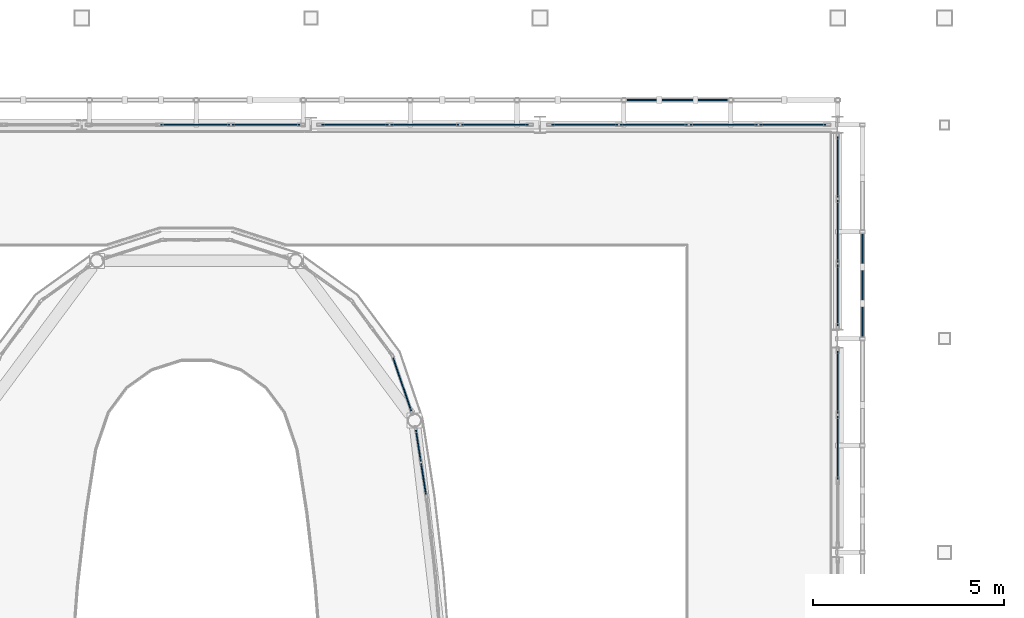
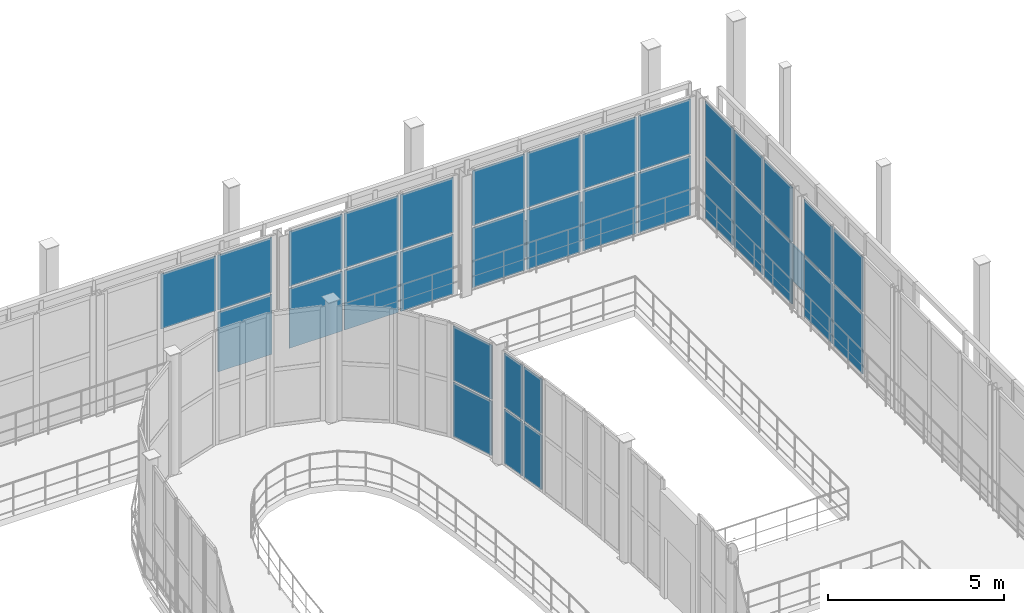
# One storey, part 100 of 138: 35 plates, 7 elements without a shape of their own.
"""IFC4 building model written with IfcOpenShell, lengths in metres."""

from ifc_helpers import new_model, si_unit, direction, frame, origin, origin_2d, place, context, subcontext, project, spatial, rectangle, extrude, material, layer, layer_set, type_object, element, aggregate, save


model = new_model("IFC4")

# Units and contexts
model_context = context("Model", 3, precision=1e-05, world=origin(), true_north=direction((0.0, 1.0)))
body_context = subcontext(model_context, "Body", "Model", "MODEL_VIEW")
ifc_project = project(units=[si_unit("LENGTHUNIT", "METRE"), si_unit("AREAUNIT", "SQUARE_METRE"), si_unit("VOLUMEUNIT", "CUBIC_METRE"), si_unit("PLANEANGLEUNIT", "RADIAN"), si_unit("MASSUNIT", "GRAM", prefix="KILO")], contexts=[model_context])

# Site, building, storey
site_placement = place(None, origin())
site = spatial("IfcSite", under=ifc_project, at=site_placement, CompositionType="ELEMENT")
building_placement = place(site_placement, origin())
building = spatial("IfcBuilding", under=site, at=building_placement, Name="Vinh Khe Railworks Police Headquarters", CompositionType="ELEMENT")
storey_placement = place(building_placement, frame((0.0, 0.0, 9.0)))
storey = spatial("IfcBuildingStorey", under=building, at=storey_placement, Name="L02", CompositionType="ELEMENT", Elevation=9.0)

# Curtain wall, plates
ifc_material_1 = material(Name="Anodised aluminium and acoustic laminated glass", Category="aluminium")
ifc_layer_1 = layer(ifc_material_1, 0.159912109375)
ifc_layer_set_1 = layer_set([ifc_layer_1], Name="Anodised aluminium and acoustic laminated glass")
curtain_wall_type_1 = type_object("IfcCurtainWallType", Name="CW-DRUM-CHORD", PredefinedType="USERDEFINED", material=ifc_layer_set_1)
curtain_wall_1_placement = place(storey_placement, origin())
curtain_wall_1 = element("IfcCurtainWall", 1, at=curtain_wall_1_placement, inside=storey, type_object=curtain_wall_type_1, Name="Elliptical Command Drum Glazing L02 Chord 9", ObjectType="DRUM FACADE GLAZING", PredefinedType="USERDEFINED")
ifc_material_2 = material(Name="Acoustic laminated solar-control glass", Category="glass")
ifc_layer_2 = layer(ifc_material_2, 0.031982421875)
ifc_layer_set_2 = layer_set([ifc_layer_2], Name="Acoustic laminated solar-control glass")
plate_type_1 = type_object("IfcPlateType", Name="PAN-DRUM-32", PredefinedType="CURTAIN_PANEL", material=ifc_layer_set_2)
plate_1_placement = place(storey_placement, frame((49.15087890625, 49.524169921875, 0.06494140625), z_axis=(0.0, 0.0, 1.0), x_axis=(-0.153490222159, 0.988150166575, 0.0)))
plate_1 = element("IfcPlate", 2, at=plate_1_placement, type_object=plate_type_1, Name="CW-02 panel 1.1", PredefinedType="CURTAIN_PANEL", context=body_context, shape_type="SweptSolid", body=[
    extrude(rectangle(XDim=0.814697265625, YDim=0.031982421875, at=origin_2d()), origin(), (0.0, 0.0, 1.0), 1.887451171875),
])
plate_2_placement = place(storey_placement, frame((49.15087890625, 49.524169921875, 2.017578125), z_axis=(0.0, 0.0, 1.0), x_axis=(-0.153490222159, 0.988150166575, 0.0)))
plate_2 = element("IfcPlate", 3, at=plate_2_placement, type_object=plate_type_1, Name="CW-02 panel 1.2", PredefinedType="CURTAIN_PANEL", context=body_context, shape_type="SweptSolid", body=[
    extrude(rectangle(XDim=0.814697265625, YDim=0.031982421875, at=origin_2d()), origin(), (0.0, 0.0, 1.0), 1.887451171875),
])
plate_3_placement = place(storey_placement, frame((49.015869140625, 50.3935546875, 0.06494140625), z_axis=(0.0, 0.0, 1.0), x_axis=(-0.153490222159, 0.988150166575, 0.0)))
plate_3 = element("IfcPlate", 4, at=plate_3_placement, type_object=plate_type_1, Name="CW-02 panel 2.1", PredefinedType="CURTAIN_PANEL", context=body_context, shape_type="SweptSolid", body=[
    extrude(rectangle(XDim=0.814697265625, YDim=0.031982421875, at=origin_2d()), origin(), (0.0, 0.0, 1.0), 1.887451171875),
])
plate_4_placement = place(storey_placement, frame((49.015869140625, 50.3935546875, 2.017578125), z_axis=(0.0, 0.0, 1.0), x_axis=(-0.153490222159, 0.988150166575, 0.0)))
plate_4 = element("IfcPlate", 5, at=plate_4_placement, type_object=plate_type_1, Name="CW-02 panel 2.2", PredefinedType="CURTAIN_PANEL", context=body_context, shape_type="SweptSolid", body=[
    extrude(rectangle(XDim=0.814697265625, YDim=0.031982421875, at=origin_2d()), origin(), (0.0, 0.0, 1.0), 1.887451171875),
])
aggregate(curtain_wall_1, [plate_1, plate_2, plate_3, plate_4])

curtain_wall_2_placement = place(storey_placement, origin())
curtain_wall_2 = element("IfcCurtainWall", 6, at=curtain_wall_2_placement, inside=storey, type_object=curtain_wall_type_1, Name="Elliptical Command Drum Glazing L02 Chord 10", ObjectType="DRUM FACADE GLAZING", PredefinedType="USERDEFINED")
plate_5_placement = place(storey_placement, frame((48.591552734375, 51.99853515625, 0.06494140625), z_axis=(0.0, 0.0, 1.0), x_axis=(-0.322746129004, 0.946485571054, 0.0)))
plate_5 = element("IfcPlate", 7, at=plate_5_placement, type_object=plate_type_1, Name="CW-02 panel 1.1", PredefinedType="CURTAIN_PANEL", context=body_context, shape_type="SweptSolid", body=[
    extrude(rectangle(XDim=1.466064453125, YDim=0.031982421875, at=origin_2d()), origin(), (0.0, 0.0, 1.0), 1.887451171875),
])
plate_6_placement = place(storey_placement, frame((48.591552734375, 51.99853515625, 2.017578125), z_axis=(0.0, 0.0, 1.0), x_axis=(-0.322746129004, 0.946485571054, 0.0)))
plate_6 = element("IfcPlate", 8, at=plate_6_placement, type_object=plate_type_1, Name="CW-02 panel 1.2", PredefinedType="CURTAIN_PANEL", context=body_context, shape_type="SweptSolid", body=[
    extrude(rectangle(XDim=1.466064453125, YDim=0.031982421875, at=origin_2d()), origin(), (0.0, 0.0, 1.0), 1.887451171875),
])
aggregate(curtain_wall_2, [plate_5, plate_6])

ifc_material_3 = material(Name="Anodised aluminium and low-iron glass", Category="aluminium")
ifc_layer_3 = layer(ifc_material_3, 0.179931640625)
ifc_layer_set_3 = layer_set([ifc_layer_3], Name="Anodised aluminium and low-iron glass")
curtain_wall_type_2 = type_object("IfcCurtainWallType", Name="CW-CUBE-UNIT", PredefinedType="USERDEFINED", material=ifc_layer_set_3)
curtain_wall_3_placement = place(storey_placement, origin())
curtain_wall_3 = element("IfcCurtainWall", 9, at=curtain_wall_3_placement, inside=storey, type_object=curtain_wall_type_2, Name="Entrance Hall Curtain Wall L02 N-3", ObjectType="UNITISED GLAZING", PredefinedType="USERDEFINED")
ifc_material_4 = material(Name="Low-iron laminated solar-control glass", Category="glass")
ifc_layer_4 = layer(ifc_material_4, 0.028076171875)
ifc_layer_set_4 = layer_set([ifc_layer_4], Name="Low-iron laminated solar-control glass")
plate_type_2 = type_object("IfcPlateType", Name="PAN-GLZ-28", PredefinedType="CURTAIN_PANEL", material=ifc_layer_set_4)
plate_7_placement = place(storey_placement, frame((43.16748046875, 58.800048828125, 2.21923828125), z_axis=(0.0, 0.0, 1.0), x_axis=(1.0, 0.0, 0.0)))
plate_7 = element("IfcPlate", 10, at=plate_7_placement, type_object=plate_type_2, Name="CW-01 panel 2.2", PredefinedType="CURTAIN_PANEL", context=body_context, shape_type="SweptSolid", body=[
    extrude(rectangle(XDim=1.808349609375, YDim=0.028076171875, at=origin_2d()), origin(), (0.0, 0.0, 1.0), 1.910888671875),
])
plate_8_placement = place(storey_placement, frame((45.0283203125, 58.800048828125, 0.070068359375), z_axis=(0.0, 0.0, 1.0), x_axis=(1.0, 0.0, 0.0)))
plate_8 = element("IfcPlate", 11, at=plate_8_placement, type_object=plate_type_2, Name="CW-01 panel 3.1", PredefinedType="CURTAIN_PANEL", context=body_context, shape_type="SweptSolid", body=[
    extrude(rectangle(XDim=1.7734375, YDim=0.028076171875, at=origin_2d()), origin(), (0.0, 0.0, 1.0), 2.0791015625),
])
plate_9_placement = place(storey_placement, frame((45.0283203125, 58.800048828125, 2.21923828125), z_axis=(0.0, 0.0, 1.0), x_axis=(1.0, 0.0, 0.0)))
plate_9 = element("IfcPlate", 12, at=plate_9_placement, type_object=plate_type_2, Name="CW-01 panel 3.2", PredefinedType="CURTAIN_PANEL", context=body_context, shape_type="SweptSolid", body=[
    extrude(rectangle(XDim=1.7734375, YDim=0.028076171875, at=origin_2d()), origin(), (0.0, 0.0, 1.0), 1.910888671875),
])
aggregate(curtain_wall_3, [plate_7, plate_8, plate_9])

curtain_wall_4_placement = place(storey_placement, origin())
curtain_wall_4 = element("IfcCurtainWall", 13, at=curtain_wall_4_placement, inside=storey, type_object=curtain_wall_type_2, Name="Entrance Hall Curtain Wall L02 N-4", ObjectType="UNITISED GLAZING", PredefinedType="USERDEFINED")
plate_10_placement = place(storey_placement, frame((47.356689453125, 58.800048828125, 0.070068359375), z_axis=(0.0, 0.0, 1.0), x_axis=(1.0, 0.0, 0.0)))
plate_10 = element("IfcPlate", 14, at=plate_10_placement, type_object=plate_type_2, Name="CW-01 panel 1.1", PredefinedType="CURTAIN_PANEL", context=body_context, shape_type="SweptSolid", body=[
    extrude(rectangle(XDim=1.743408203125, YDim=0.028076171875, at=origin_2d()), origin(), (0.0, 0.0, 1.0), 2.0791015625),
])
plate_11_placement = place(storey_placement, frame((47.356689453125, 58.800048828125, 2.21923828125), z_axis=(0.0, 0.0, 1.0), x_axis=(1.0, 0.0, 0.0)))
plate_11 = element("IfcPlate", 15, at=plate_11_placement, type_object=plate_type_2, Name="CW-01 panel 1.2", PredefinedType="CURTAIN_PANEL", context=body_context, shape_type="SweptSolid", body=[
    extrude(rectangle(XDim=1.743408203125, YDim=0.028076171875, at=origin_2d()), origin(), (0.0, 0.0, 1.0), 1.910888671875),
])
plate_12_placement = place(storey_placement, frame((49.1875, 58.800048828125, 0.070068359375), z_axis=(0.0, 0.0, 1.0), x_axis=(1.0, 0.0, 0.0)))
plate_12 = element("IfcPlate", 16, at=plate_12_placement, type_object=plate_type_2, Name="CW-01 panel 2.1", PredefinedType="CURTAIN_PANEL", context=body_context, shape_type="SweptSolid", body=[
    extrude(rectangle(XDim=1.7783203125, YDim=0.028076171875, at=origin_2d()), origin(), (0.0, 0.0, 1.0), 2.0791015625),
])
plate_13_placement = place(storey_placement, frame((49.1875, 58.800048828125, 2.21923828125), z_axis=(0.0, 0.0, 1.0), x_axis=(1.0, 0.0, 0.0)))
plate_13 = element("IfcPlate", 17, at=plate_13_placement, type_object=plate_type_2, Name="CW-01 panel 2.2", PredefinedType="CURTAIN_PANEL", context=body_context, shape_type="SweptSolid", body=[
    extrude(rectangle(XDim=1.7783203125, YDim=0.028076171875, at=origin_2d()), origin(), (0.0, 0.0, 1.0), 1.910888671875),
])
plate_14_placement = place(storey_placement, frame((51.018310546875, 58.800048828125, 0.070068359375), z_axis=(0.0, 0.0, 1.0), x_axis=(1.0, 0.0, 0.0)))
plate_14 = element("IfcPlate", 18, at=plate_14_placement, type_object=plate_type_2, Name="CW-01 panel 3.1", PredefinedType="CURTAIN_PANEL", context=body_context, shape_type="SweptSolid", body=[
    extrude(rectangle(XDim=1.743408203125, YDim=0.028076171875, at=origin_2d()), origin(), (0.0, 0.0, 1.0), 2.0791015625),
])
plate_15_placement = place(storey_placement, frame((51.018310546875, 58.800048828125, 2.21923828125), z_axis=(0.0, 0.0, 1.0), x_axis=(1.0, 0.0, 0.0)))
plate_15 = element("IfcPlate", 19, at=plate_15_placement, type_object=plate_type_2, Name="CW-01 panel 3.2", PredefinedType="CURTAIN_PANEL", context=body_context, shape_type="SweptSolid", body=[
    extrude(rectangle(XDim=1.743408203125, YDim=0.028076171875, at=origin_2d()), origin(), (0.0, 0.0, 1.0), 1.910888671875),
])
aggregate(curtain_wall_4, [plate_10, plate_11, plate_12, plate_13, plate_14, plate_15])

curtain_wall_5_placement = place(storey_placement, origin())
curtain_wall_5 = element("IfcCurtainWall", 20, at=curtain_wall_5_placement, inside=storey, type_object=curtain_wall_type_2, Name="Entrance Hall Curtain Wall L02 N-5", ObjectType="UNITISED GLAZING", PredefinedType="USERDEFINED")
plate_16_placement = place(storey_placement, frame((53.37255859375, 58.800048828125, 0.070068359375), z_axis=(0.0, 0.0, 1.0), x_axis=(1.0, 0.0, 0.0)))
plate_16 = element("IfcPlate", 21, at=plate_16_placement, type_object=plate_type_2, Name="CW-01 panel 1.1", PredefinedType="CURTAIN_PANEL", context=body_context, shape_type="SweptSolid", body=[
    extrude(rectangle(XDim=1.72509765625, YDim=0.028076171875, at=origin_2d()), origin(), (0.0, 0.0, 1.0), 2.0791015625),
])
plate_17_placement = place(storey_placement, frame((53.37255859375, 58.800048828125, 2.21923828125), z_axis=(0.0, 0.0, 1.0), x_axis=(1.0, 0.0, 0.0)))
plate_17 = element("IfcPlate", 22, at=plate_17_placement, type_object=plate_type_2, Name="CW-01 panel 1.2", PredefinedType="CURTAIN_PANEL", context=body_context, shape_type="SweptSolid", body=[
    extrude(rectangle(XDim=1.72509765625, YDim=0.028076171875, at=origin_2d()), origin(), (0.0, 0.0, 1.0), 1.910888671875),
])
plate_18_placement = place(storey_placement, frame((55.18505859375, 58.800048828125, 0.070068359375), z_axis=(0.0, 0.0, 1.0), x_axis=(1.0, 0.0, 0.0)))
plate_18 = element("IfcPlate", 23, at=plate_18_placement, type_object=plate_type_2, Name="CW-01 panel 2.1", PredefinedType="CURTAIN_PANEL", context=body_context, shape_type="SweptSolid", body=[
    extrude(rectangle(XDim=1.760009765625, YDim=0.028076171875, at=origin_2d()), origin(), (0.0, 0.0, 1.0), 2.0791015625),
])
plate_19_placement = place(storey_placement, frame((55.18505859375, 58.800048828125, 2.21923828125), z_axis=(0.0, 0.0, 1.0), x_axis=(1.0, 0.0, 0.0)))
plate_19 = element("IfcPlate", 24, at=plate_19_placement, type_object=plate_type_2, Name="CW-01 panel 2.2", PredefinedType="CURTAIN_PANEL", context=body_context, shape_type="SweptSolid", body=[
    extrude(rectangle(XDim=1.760009765625, YDim=0.028076171875, at=origin_2d()), origin(), (0.0, 0.0, 1.0), 1.910888671875),
])
plate_20_placement = place(storey_placement, frame((57.014892578125, 58.800048828125, 0.070068359375), z_axis=(0.0, 0.0, 1.0), x_axis=(1.0, 0.0, 0.0)))
plate_20 = element("IfcPlate", 25, at=plate_20_placement, type_object=plate_type_2, Name="CW-01 panel 3.1", PredefinedType="CURTAIN_PANEL", context=body_context, shape_type="SweptSolid", body=[
    extrude(rectangle(XDim=1.760009765625, YDim=0.028076171875, at=origin_2d()), origin(), (0.0, 0.0, 1.0), 2.0791015625),
])
plate_21_placement = place(storey_placement, frame((57.014892578125, 58.800048828125, 2.21923828125), z_axis=(0.0, 0.0, 1.0), x_axis=(1.0, 0.0, 0.0)))
plate_21 = element("IfcPlate", 26, at=plate_21_placement, type_object=plate_type_2, Name="CW-01 panel 3.2", PredefinedType="CURTAIN_PANEL", context=body_context, shape_type="SweptSolid", body=[
    extrude(rectangle(XDim=1.760009765625, YDim=0.028076171875, at=origin_2d()), origin(), (0.0, 0.0, 1.0), 1.910888671875),
])
plate_22_placement = place(storey_placement, frame((58.827392578125, 58.800048828125, 0.070068359375), z_axis=(0.0, 0.0, 1.0), x_axis=(1.0, 0.0, 0.0)))
plate_22 = element("IfcPlate", 27, at=plate_22_placement, type_object=plate_type_2, Name="CW-01 panel 4.1", PredefinedType="CURTAIN_PANEL", context=body_context, shape_type="SweptSolid", body=[
    extrude(rectangle(XDim=1.72509765625, YDim=0.028076171875, at=origin_2d()), origin(), (0.0, 0.0, 1.0), 2.0791015625),
])
plate_23_placement = place(storey_placement, frame((58.827392578125, 58.800048828125, 2.21923828125), z_axis=(0.0, 0.0, 1.0), x_axis=(1.0, 0.0, 0.0)))
plate_23 = element("IfcPlate", 28, at=plate_23_placement, type_object=plate_type_2, Name="CW-01 panel 4.2", PredefinedType="CURTAIN_PANEL", context=body_context, shape_type="SweptSolid", body=[
    extrude(rectangle(XDim=1.72509765625, YDim=0.028076171875, at=origin_2d()), origin(), (0.0, 0.0, 1.0), 1.910888671875),
])
aggregate(curtain_wall_5, [plate_16, plate_17, plate_18, plate_19, plate_20, plate_21, plate_22, plate_23])

curtain_wall_6_placement = place(storey_placement, origin())
curtain_wall_6 = element("IfcCurtainWall", 29, at=curtain_wall_6_placement, inside=storey, type_object=curtain_wall_type_2, Name="Entrance Hall Curtain Wall L02 E-5", ObjectType="UNITISED GLAZING", PredefinedType="USERDEFINED")
plate_24_placement = place(storey_placement, frame((60.0, 50.342529296875, 0.070068359375), z_axis=(0.0, 0.0, 1.0), x_axis=(0.0, 1.0, 0.0)))
plate_24 = element("IfcPlate", 30, at=plate_24_placement, type_object=plate_type_2, Name="CW-01 panel 2.1", PredefinedType="CURTAIN_PANEL", context=body_context, shape_type="SweptSolid", body=[
    extrude(rectangle(XDim=1.658447265625, YDim=0.028076171875, at=origin_2d()), origin(), (0.0, 0.0, 1.0), 2.0791015625),
])
plate_25_placement = place(storey_placement, frame((60.0, 50.342529296875, 2.21923828125), z_axis=(0.0, 0.0, 1.0), x_axis=(0.0, 1.0, 0.0)))
plate_25 = element("IfcPlate", 31, at=plate_25_placement, type_object=plate_type_2, Name="CW-01 panel 2.2", PredefinedType="CURTAIN_PANEL", context=body_context, shape_type="SweptSolid", body=[
    extrude(rectangle(XDim=1.658447265625, YDim=0.028076171875, at=origin_2d()), origin(), (0.0, 0.0, 1.0), 1.910888671875),
])
plate_26_placement = place(storey_placement, frame((60.0, 52.05322265625, 0.070068359375), z_axis=(0.0, 0.0, 1.0), x_axis=(0.0, 1.0, 0.0)))
plate_26 = element("IfcPlate", 32, at=plate_26_placement, type_object=plate_type_2, Name="CW-01 panel 3.1", PredefinedType="CURTAIN_PANEL", context=body_context, shape_type="SweptSolid", body=[
    extrude(rectangle(XDim=1.623291015625, YDim=0.028076171875, at=origin_2d()), origin(), (0.0, 0.0, 1.0), 2.0791015625),
])
plate_27_placement = place(storey_placement, frame((60.0, 52.05322265625, 2.21923828125), z_axis=(0.0, 0.0, 1.0), x_axis=(0.0, 1.0, 0.0)))
plate_27 = element("IfcPlate", 33, at=plate_27_placement, type_object=plate_type_2, Name="CW-01 panel 3.2", PredefinedType="CURTAIN_PANEL", context=body_context, shape_type="SweptSolid", body=[
    extrude(rectangle(XDim=1.623291015625, YDim=0.028076171875, at=origin_2d()), origin(), (0.0, 0.0, 1.0), 1.910888671875),
])
aggregate(curtain_wall_6, [plate_24, plate_25, plate_26, plate_27])

curtain_wall_7_placement = place(storey_placement, origin())
curtain_wall_7 = element("IfcCurtainWall", 34, at=curtain_wall_7_placement, inside=storey, type_object=curtain_wall_type_2, Name="Entrance Hall Curtain Wall L02 E-6", ObjectType="UNITISED GLAZING", PredefinedType="USERDEFINED")
plate_28_placement = place(storey_placement, frame((60.0, 54.331787109375, 0.070068359375), z_axis=(0.0, 0.0, 1.0), x_axis=(0.0, 1.0, 0.0)))
plate_28 = element("IfcPlate", 35, at=plate_28_placement, type_object=plate_type_2, Name="CW-01 panel 1.1", PredefinedType="CURTAIN_PANEL", context=body_context, shape_type="SweptSolid", body=[
    extrude(rectangle(XDim=1.59326171875, YDim=0.028076171875, at=origin_2d()), origin(), (0.0, 0.0, 1.0), 2.0791015625),
])
plate_29_placement = place(storey_placement, frame((60.0, 54.331787109375, 2.21923828125), z_axis=(0.0, 0.0, 1.0), x_axis=(0.0, 1.0, 0.0)))
plate_29 = element("IfcPlate", 36, at=plate_29_placement, type_object=plate_type_2, Name="CW-01 panel 1.2", PredefinedType="CURTAIN_PANEL", context=body_context, shape_type="SweptSolid", body=[
    extrude(rectangle(XDim=1.59326171875, YDim=0.028076171875, at=origin_2d()), origin(), (0.0, 0.0, 1.0), 1.910888671875),
])
plate_30_placement = place(storey_placement, frame((60.0, 56.012451171875, 0.070068359375), z_axis=(0.0, 0.0, 1.0), x_axis=(0.0, 1.0, 0.0)))
plate_30 = element("IfcPlate", 37, at=plate_30_placement, type_object=plate_type_2, Name="CW-01 panel 2.1", PredefinedType="CURTAIN_PANEL", context=body_context, shape_type="SweptSolid", body=[
    extrude(rectangle(XDim=1.62841796875, YDim=0.028076171875, at=origin_2d()), origin(), (0.0, 0.0, 1.0), 2.0791015625),
])
plate_31_placement = place(storey_placement, frame((60.0, 56.012451171875, 2.21923828125), z_axis=(0.0, 0.0, 1.0), x_axis=(0.0, 1.0, 0.0)))
plate_31 = element("IfcPlate", 38, at=plate_31_placement, type_object=plate_type_2, Name="CW-01 panel 2.2", PredefinedType="CURTAIN_PANEL", context=body_context, shape_type="SweptSolid", body=[
    extrude(rectangle(XDim=1.62841796875, YDim=0.028076171875, at=origin_2d()), origin(), (0.0, 0.0, 1.0), 1.910888671875),
])
plate_32_placement = place(storey_placement, frame((60.0, 57.693359375, 0.070068359375), z_axis=(0.0, 0.0, 1.0), x_axis=(0.0, 1.0, 0.0)))
plate_32 = element("IfcPlate", 39, at=plate_32_placement, type_object=plate_type_2, Name="CW-01 panel 3.1", PredefinedType="CURTAIN_PANEL", context=body_context, shape_type="SweptSolid", body=[
    extrude(rectangle(XDim=1.59326171875, YDim=0.028076171875, at=origin_2d()), origin(), (0.0, 0.0, 1.0), 2.0791015625),
])
plate_33_placement = place(storey_placement, frame((60.0, 57.693359375, 2.21923828125), z_axis=(0.0, 0.0, 1.0), x_axis=(0.0, 1.0, 0.0)))
plate_33 = element("IfcPlate", 40, at=plate_33_placement, type_object=plate_type_2, Name="CW-01 panel 3.2", PredefinedType="CURTAIN_PANEL", context=body_context, shape_type="SweptSolid", body=[
    extrude(rectangle(XDim=1.59326171875, YDim=0.028076171875, at=origin_2d()), origin(), (0.0, 0.0, 1.0), 1.910888671875),
])
aggregate(curtain_wall_7, [plate_28, plate_29, plate_30, plate_31, plate_32, plate_33])

# Plates
ifc_material_5 = material(Name="Salvaged ironwood timber", Category="wood")
ifc_layer_5 = layer(ifc_material_5, 0.050048828125)
ifc_layer_set_5 = layer_set([ifc_layer_5], Name="Salvaged ironwood timber")
plate_type_3 = type_object("IfcPlateType", Name="PLT-QP-03", PredefinedType="SHEET", material=ifc_layer_set_5)
for number, where, z_axis, x_axis, name in (
    (41, (55.800048828125, 59.449951171875, 0.0), (0.0, 0.0, 1.0), (1.0, 0.0, 0.0), "Salvaged Ironwood Panelled Casement N-11"),
    (42, (60.64990234375, 54.60009765625, 0.0), (0.0, 0.0, 1.0), (0.0, 1.0, 0.0), "Salvaged Ironwood Panelled Casement E-11"),
):
    element("IfcPlate", number, at=place(storey_placement, frame(where, z_axis=z_axis, x_axis=x_axis)), inside=storey, type_object=plate_type_3, Name=name, PredefinedType="SHEET", context=body_context, shape_type="SweptSolid", body=[
        extrude(rectangle(XDim=2.800048828125, YDim=0.050048828125, at=origin_2d()), origin(), (0.0, 0.0, 1.0), 1.260009765625),
    ])

save(model, "model.ifc")
